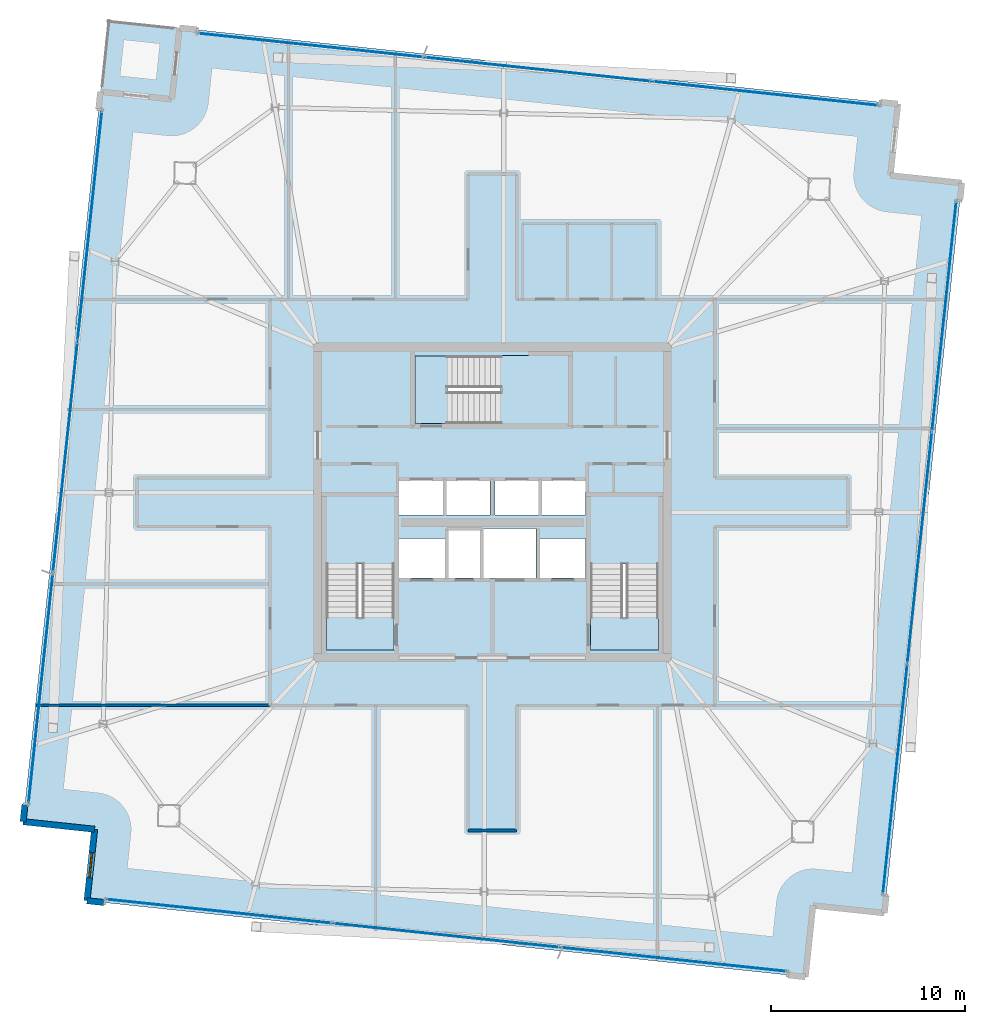
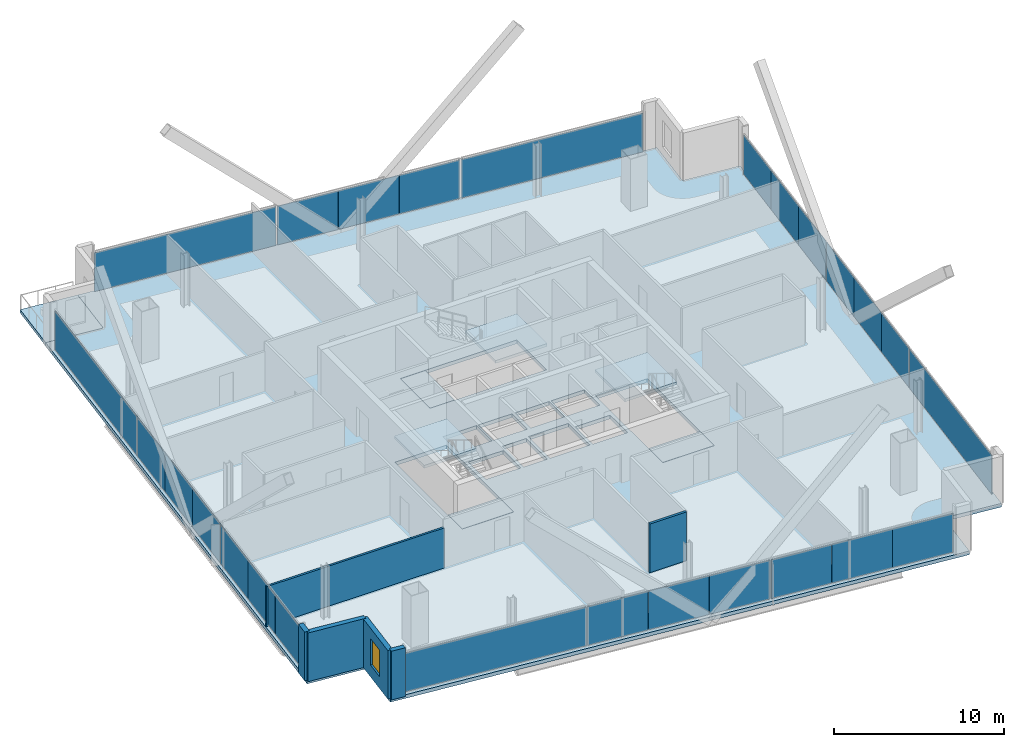
# One storey, part 18 of 24: 26 plates, 8 slabs, 6 walls, 1 window, 1 opening, 7 elements without a shape of their own.
"""IFC4 building model written with IfcOpenShell, lengths in metres."""

from ifc_helpers import new_model, si_unit, direction, frame, frame_2d, origin, origin_2d, place, context, subcontext, project, spatial, polyline, rectangle, outline, extrude, source, transform, mapped, material, layer, layer_set, type_object, element, fill, aggregate, save


model = new_model("IFC4")

# Units and contexts
model_context = context("Model", 3, precision=1e-05, world=origin(), true_north=direction((0.0, 1.0)))
body_context = subcontext(model_context, "Body", "Model", "MODEL_VIEW")
ifc_project = project(units=[si_unit("LENGTHUNIT", "METRE"), si_unit("AREAUNIT", "SQUARE_METRE"), si_unit("VOLUMEUNIT", "CUBIC_METRE"), si_unit("PLANEANGLEUNIT", "RADIAN"), si_unit("MASSUNIT", "GRAM", prefix="KILO")], contexts=[model_context])

# Site, building, storey
site_placement = place(None, origin())
site = spatial("IfcSite", under=ifc_project, at=site_placement, CompositionType="ELEMENT")
building_placement = place(site_placement, origin())
building = spatial("IfcBuilding", under=site, at=building_placement, Name="Haldenkirk Collegiate Tower", CompositionType="ELEMENT")
storey_placement = place(building_placement, frame((0.0, 0.0, 310.199951171875)))
storey = spatial("IfcBuildingStorey", under=building, at=storey_placement, Name="L78", CompositionType="ELEMENT", Elevation=310.199951171875)

# Slab
ifc_material_1 = material(Name="Concrete f'c 40 MPa", Category="concrete")
ifc_layer_1 = layer(ifc_material_1, 0.260009765625)
ifc_layer_set_1 = layer_set([ifc_layer_1], Name="Concrete f'c 40 MPa")
slab_type_1 = type_object("IfcSlabType", Name="SLB-FLR-260", PredefinedType="FLOOR", material=ifc_layer_set_1)
slab_1_placement = place(storey_placement, frame((0.0, 0.0, -0.260009765625)))
element("IfcSlab", 1, at=slab_1_placement, inside=storey, type_object=slab_type_1, Name="L78 composite structural floor slab", PredefinedType="FLOOR", context=body_context, shape_type="SweptSolid", body=[
    extrude(outline(polyline([(56.183837890625, 4.85498046875), (60.167724609375, 42.4443359375), (56.48828125, 42.83447265625), (56.87841796875, 46.513916015625), (19.885498046875, 50.4345703125), (19.49560546875, 46.755126953125), (15.816162109375, 47.14501953125), (11.832275390625, 9.5556640625), (15.51171875, 9.16552734375), (15.12158203125, 5.486083984375), (52.114501953125, 1.5654296875), (52.50439453125, 5.244873046875), (56.183837890625, 4.85498046875)]), holes=[polyline([(27.449951171875, 18.39990234375), (30.949951171875, 18.39990234375), (30.949951171875, 26.300048828125), (27.449951171875, 26.300048828125), (27.449951171875, 18.39990234375)]), polyline([(41.050048828125, 18.39990234375), (44.550048828125, 18.39990234375), (44.550048828125, 26.300048828125), (41.050048828125, 26.300048828125), (41.050048828125, 18.39990234375)]), polyline([(32.0, 30.050048828125), (39.89990234375, 30.050048828125), (39.89990234375, 33.550048828125), (32.0, 33.550048828125), (32.0, 30.050048828125)]), polyline([(33.75, 22.10009765625), (35.35009765625, 22.10009765625), (35.35009765625, 24.550048828125), (33.75, 24.550048828125), (33.75, 22.10009765625)]), polyline([(31.199951171875, 25.35009765625), (33.47998046875, 25.35009765625), (33.47998046875, 27.14990234375), (31.199951171875, 27.14990234375), (31.199951171875, 25.35009765625)]), polyline([(33.60009765625, 25.35009765625), (35.8798828125, 25.35009765625), (35.8798828125, 27.14990234375), (33.60009765625, 27.14990234375), (33.60009765625, 25.35009765625)]), polyline([(36.1201171875, 25.35009765625), (38.39990234375, 25.35009765625), (38.39990234375, 27.14990234375), (36.1201171875, 27.14990234375), (36.1201171875, 25.35009765625)]), polyline([(38.52001953125, 25.35009765625), (40.800048828125, 25.35009765625), (40.800048828125, 27.14990234375), (38.52001953125, 27.14990234375), (38.52001953125, 25.35009765625)]), polyline([(31.199951171875, 22.10009765625), (33.550048828125, 22.10009765625), (33.550048828125, 24.14990234375), (31.199951171875, 24.14990234375), (31.199951171875, 22.10009765625)]), polyline([(38.449951171875, 22.10009765625), (40.800048828125, 22.10009765625), (40.800048828125, 24.14990234375), (38.449951171875, 24.14990234375), (38.449951171875, 22.10009765625)]), polyline([(35.550048828125, 22.10009765625), (38.25, 22.10009765625), (38.25, 24.64990234375), (35.550048828125, 24.64990234375), (35.550048828125, 22.10009765625)])]), origin(), (0.0, 0.0, 1.0), 0.260009765625),
])

# Stair, slab
stair_type = type_object("IfcStairType", Name="STR-DOGLEG-1650", PredefinedType="HALF_TURN_STAIR", material=ifc_material_1)
stair_1_placement = place(storey_placement, origin())
stair_1 = element("IfcStair", 2, at=stair_1_placement, inside=storey, type_object=stair_type, Name="L78 Core Exit Stair ST-1", PredefinedType="HALF_TURN_STAIR")
ifc_layer_2 = layer(ifc_material_1, 0.199951171875)
ifc_layer_set_2 = layer_set([ifc_layer_2], Name="Concrete f'c 40 MPa")
slab_type_2 = type_object("IfcSlabType", Name="SLB-LANDING-200", PredefinedType="LANDING", material=ifc_layer_set_2)
slab_2_placement = place(storey_placement, frame((0.0, 0.0, 1.675048828125)))
slab_2 = element("IfcSlab", 3, at=slab_2_placement, type_object=slab_type_2, Name="ST-1 landing 1", PredefinedType="LANDING", context=body_context, shape_type="SweptSolid", body=[
    extrude(outline(polyline([(30.97509765625, 22.824951171875), (27.425048828125, 22.824951171875), (27.425048828125, 26.324951171875), (30.97509765625, 26.324951171875), (30.97509765625, 22.824951171875)])), origin(), (0.0, 0.0, 1.0), 0.199951171875),
])
aggregate(stair_1, [slab_2])

stair_2_placement = place(storey_placement, origin())
stair_2 = element("IfcStair", 4, at=stair_2_placement, inside=storey, type_object=stair_type, Name="L78 Core Exit Stair ST-2", PredefinedType="HALF_TURN_STAIR")
slab_3_placement = place(storey_placement, frame((0.0, 0.0, 1.675048828125)))
slab_3 = element("IfcSlab", 5, at=slab_3_placement, type_object=slab_type_2, Name="ST-2 landing 1", PredefinedType="LANDING", context=body_context, shape_type="SweptSolid", body=[
    extrude(outline(polyline([(44.574951171875, 22.824951171875), (41.02490234375, 22.824951171875), (41.02490234375, 26.324951171875), (44.574951171875, 26.324951171875), (44.574951171875, 22.824951171875)])), origin(), (0.0, 0.0, 1.0), 0.199951171875),
])
aggregate(stair_2, [slab_3])

stair_3_placement = place(storey_placement, origin())
stair_3 = element("IfcStair", 6, at=stair_3_placement, inside=storey, type_object=stair_type, Name="L78 Core Exit Stair ST-3", PredefinedType="HALF_TURN_STAIR")
slab_4_placement = place(storey_placement, frame((0.0, 0.0, 1.675048828125)))
slab_4 = element("IfcSlab", 7, at=slab_4_placement, type_object=slab_type_2, Name="ST-3 landing 1", PredefinedType="LANDING", context=body_context, shape_type="SweptSolid", body=[
    extrude(outline(polyline([(36.425048828125, 30.02490234375), (36.425048828125, 33.574951171875), (39.925048828125, 33.574951171875), (39.925048828125, 30.02490234375), (36.425048828125, 30.02490234375)])), origin(), (0.0, 0.0, 1.0), 0.199951171875),
])
aggregate(stair_3, [slab_4])

# Slabs
ifc_layer_3 = layer(ifc_material_1, 0.25)
ifc_layer_set_3 = layer_set([ifc_layer_3], Name="Concrete f'c 40 MPa")
slab_type_3 = type_object("IfcSlabType", Name="SLB-STAIRLAND-250", PredefinedType="LANDING", material=ifc_layer_set_3)
slab_5_placement = place(storey_placement, frame((0.0, 0.0, -0.25)))
element("IfcSlab", 8, at=slab_5_placement, inside=storey, type_object=slab_type_3, Name="L78 stair ST1 structural floor landing slab", PredefinedType="LANDING", context=body_context, shape_type="SweptSolid", body=[
    extrude(outline(polyline([(27.4599609375, 18.409912109375), (30.93994140625, 18.409912109375), (30.93994140625, 20.080078125), (27.4599609375, 20.080078125), (27.4599609375, 18.409912109375)])), origin(), (0.0, 0.0, 1.0), 0.25),
])
slab_6_placement = place(storey_placement, frame((0.0, 0.0, -0.25)))
element("IfcSlab", 9, at=slab_6_placement, inside=storey, type_object=slab_type_3, Name="L78 stair ST2 structural floor landing slab", PredefinedType="LANDING", context=body_context, shape_type="SweptSolid", body=[
    extrude(outline(polyline([(41.06005859375, 18.409912109375), (44.5400390625, 18.409912109375), (44.5400390625, 20.080078125), (41.06005859375, 20.080078125), (41.06005859375, 18.409912109375)])), origin(), (0.0, 0.0, 1.0), 0.25),
])
slab_7_placement = place(storey_placement, frame((0.0, 0.0, -0.25)))
element("IfcSlab", 10, at=slab_7_placement, inside=storey, type_object=slab_type_3, Name="L78 stair ST3 structural floor landing slab", PredefinedType="LANDING", context=body_context, shape_type="SweptSolid", body=[
    extrude(outline(polyline([(32.010009765625, 30.06005859375), (33.679931640625, 30.06005859375), (33.679931640625, 33.5400390625), (32.010009765625, 33.5400390625), (32.010009765625, 30.06005859375)])), origin(), (0.0, 0.0, 1.0), 0.25),
])
ifc_layer_4 = layer(ifc_material_1, 0.22998046875)
ifc_layer_set_4 = layer_set([ifc_layer_4], Name="Concrete f'c 40 MPa")
slab_type_4 = type_object("IfcSlabType", Name="SLB-TERR-SPIRAL-230", PredefinedType="FLOOR", material=ifc_layer_set_4)
slab_8_placement = place(storey_placement, frame((0.0, 0.0, -0.22998046875)))
element("IfcSlab", 11, at=slab_8_placement, inside=storey, type_object=slab_type_4, Name="L78 spiralling corner terrace slab", PredefinedType="FLOOR", context=body_context, shape_type="SweptSolid", body=[
    extrude(outline(polyline([(19.49560546875, 46.755126953125), (19.885498046875, 50.4345703125), (16.206298828125, 50.824462890625), (15.816162109375, 47.14501953125), (19.49560546875, 46.755126953125)])), origin(), (0.0, 0.0, 1.0), 0.22998046875),
])

# Curtain wall, plates
ifc_material_2 = material(Name="Anodised architectural bronze aluminium", Category="aluminium")
curtain_wall_type_1 = type_object("IfcCurtainWallType", Name="CW-SYS2-CONCAVE", PredefinedType="USERDEFINED", material=ifc_material_2)
curtain_wall_1_placement = place(storey_placement, origin())
curtain_wall_1 = element("IfcCurtainWall", 12, at=curtain_wall_1_placement, inside=storey, type_object=curtain_wall_type_1, Name="L78 South concave recessed bronze-anodised curtain wall", ObjectType="UNITISED CURTAIN WALL", PredefinedType="USERDEFINED")
ifc_material_3 = material(Name="Low-E argon triple insulating glass", Category="glass")
ifc_layer_5 = layer(ifc_material_3, 0.0419921875)
ifc_layer_set_5 = layer_set([ifc_layer_5], Name="Low-E argon triple insulating glass")
plate_type_1 = type_object("IfcPlateType", Name="CW-PNL-02", PredefinedType="CURTAIN_PANEL", material=ifc_layer_set_5)
shared_shape_1 = source(origin(), body_context, "Body", "SweptSolid", [
    extrude(rectangle(XDim=11.887451171875, YDim=0.0419921875, at=origin_2d()), origin(), (0.0, 0.0, 1.0), 2.798095703125),
])
plate_1_placement = place(storey_placement, frame((56.734130859375, 11.754150390625, 0.0751953125), z_axis=(0.0, 0.0, 1.0), x_axis=(-0.105394438184, -0.994430496515, 0.0)))
plate_1 = element("IfcPlate", 13, at=plate_1_placement, type_object=plate_type_1, Name="CW-02 panel 3.1", PredefinedType="CURTAIN_PANEL", context=body_context, shape_type="MappedRepresentation", body=[
    mapped(shared_shape_1, transform((0.0, 0.0, 0.0), x_axis=(1.0, 0.0, 0.0), y_axis=(0.0, 1.0, 0.0), z_axis=(0.0, 0.0, 1.0), scale=1.0)),
])
ifc_material_4 = material(Name="Bronze-anodised insulated aluminium spandrel panel", Category="aluminium")
ifc_layer_6 = layer(ifc_material_4, 0.0419921875)
ifc_layer_set_6 = layer_set([ifc_layer_6], Name="Bronze-anodised insulated aluminium spandrel panel")
plate_type_2 = type_object("IfcPlateType", Name="CW-SPD-02", PredefinedType="CURTAIN_PANEL", material=ifc_layer_set_6)
shared_shape_2 = source(origin(), body_context, "Body", "SweptSolid", [
    extrude(rectangle(XDim=3.96240234375, YDim=0.0419921875, at=origin_2d()), origin(), (0.0, 0.0, 1.0), 2.798095703125),
])
plate_2_placement = place(storey_placement, frame((58.41650390625, 27.627685546875, 0.0751953125), z_axis=(0.0, 0.0, 1.0), x_axis=(-0.105394438184, -0.994430496515, 0.0)))
plate_2 = element("IfcPlate", 14, at=plate_2_placement, type_object=plate_type_2, Name="CW-02 spandrel panel 2.1a", PredefinedType="CURTAIN_PANEL", context=body_context, shape_type="MappedRepresentation", body=[
    mapped(shared_shape_2, transform((0.0, 0.0, 0.0), x_axis=(1.0, 0.0, 0.0), y_axis=(0.0, 1.0, 0.0), z_axis=(0.0, 0.0, 1.0), scale=1.0)),
])
plate_3_placement = place(storey_placement, frame((57.5771484375, 19.709716796875, 0.0751953125), z_axis=(0.0, 0.0, 1.0), x_axis=(-0.105394438184, -0.994430496515, 0.0)))
plate_3 = element("IfcPlate", 15, at=plate_3_placement, type_object=plate_type_2, Name="CW-02 spandrel panel 2.1c", PredefinedType="CURTAIN_PANEL", context=body_context, shape_type="MappedRepresentation", body=[
    mapped(shared_shape_2, transform((0.0, 0.0, 0.0), x_axis=(1.0, 0.0, 0.0), y_axis=(0.0, 1.0, 0.0), z_axis=(0.0, 0.0, 1.0), scale=1.0)),
])
shared_shape_3 = source(origin(), body_context, "Body", "SweptSolid", [
    extrude(rectangle(XDim=3.949951171875, YDim=0.0419921875, at=origin_2d()), origin(), (0.0, 0.0, 1.0), 2.798095703125),
])
plate_4_placement = place(storey_placement, frame((59.677734375, 39.52978515625, 0.0751953125), z_axis=(0.0, 0.0, 1.0), x_axis=(-0.105394438184, -0.994430496515, 0.0)))
plate_4 = element("IfcPlate", 16, at=plate_4_placement, type_object=plate_type_1, Name="CW-02 panel 1.1a", PredefinedType="CURTAIN_PANEL", context=body_context, shape_type="MappedRepresentation", body=[
    mapped(shared_shape_3, transform((0.0, 0.0, 0.0), x_axis=(1.0, 0.0, 0.0), y_axis=(0.0, 1.0, 0.0), z_axis=(0.0, 0.0, 1.0), scale=1.0)),
])
plate_5_placement = place(storey_placement, frame((58.84130859375, 31.636474609375, 0.0751953125), z_axis=(0.0, 0.0, 1.0), x_axis=(-0.105394438184, -0.994430496515, 0.0)))
plate_5 = element("IfcPlate", 17, at=plate_5_placement, type_object=plate_type_2, Name="CW-02 spandrel panel 1.1c", PredefinedType="CURTAIN_PANEL", context=body_context, shape_type="MappedRepresentation", body=[
    mapped(shared_shape_3, transform((0.0, 0.0, 0.0), x_axis=(1.0, 0.0, 0.0), y_axis=(0.0, 1.0, 0.0), z_axis=(0.0, 0.0, 1.0), scale=1.0)),
])
plate_6_placement = place(storey_placement, frame((57.996826171875, 23.668701171875, 0.0751953125), z_axis=(0.0, 0.0, 1.0), x_axis=(-0.105394438184, -0.994430496515, 0.0)))
plate_6 = element("IfcPlate", 18, at=plate_6_placement, type_object=plate_type_2, Name="CW-02 spandrel panel 2.1b", PredefinedType="CURTAIN_PANEL", context=body_context, shape_type="MappedRepresentation", body=[
    mapped(shared_shape_3, transform((0.0, 0.0, 0.0), x_axis=(1.0, 0.0, 0.0), y_axis=(0.0, 1.0, 0.0), z_axis=(0.0, 0.0, 1.0), scale=1.0)),
])

curtain_wall_type_2 = type_object("IfcCurtainWallType", Name="CW-SYS1B-CONVEX-HI", PredefinedType="USERDEFINED", material=ifc_material_2)
curtain_wall_2_placement = place(storey_placement, origin())
curtain_wall_2 = element("IfcCurtainWall", 19, at=curtain_wall_2_placement, inside=storey, type_object=curtain_wall_type_2, Name="L78 Upper tower high-wind convex bronze unitised curtain wall", ObjectType="UNITISED CURTAIN WALL", PredefinedType="USERDEFINED")
ifc_layer_7 = layer(ifc_material_4, 0.048095703125)
ifc_layer_set_7 = layer_set([ifc_layer_7], Name="Bronze-anodised insulated aluminium spandrel panel")
plate_type_3 = type_object("IfcPlateType", Name="CW-SPD-1B", PredefinedType="CURTAIN_PANEL", material=ifc_layer_set_7)
shared_shape_4 = source(origin(), body_context, "Body", "SweptSolid", [
    extrude(rectangle(XDim=3.892578125, YDim=0.048095703125, at=origin_2d()), origin(), (0.0, 0.0, 1.0), 2.778076171875),
])
plate_7_placement = place(storey_placement, frame((34.473388671875, 48.70751953125, 0.0849609375), z_axis=(0.0, 0.0, 1.0), x_axis=(0.994430670948, -0.10539279234, 0.0)))
plate_7 = element("IfcPlate", 20, at=plate_7_placement, type_object=plate_type_3, Name="CW-1B spandrel panel 2.1a", PredefinedType="CURTAIN_PANEL", context=body_context, shape_type="MappedRepresentation", body=[
    mapped(shared_shape_4, transform((0.0, 0.0, 0.0), x_axis=(1.0, 0.0, 0.0), y_axis=(0.0, 1.0, 0.0), z_axis=(0.0, 0.0, 1.0), scale=1.0)),
])
plate_8_placement = place(storey_placement, frame((42.25244140625, 47.8828125, 0.0849609375), z_axis=(0.0, 0.0, 1.0), x_axis=(0.994430670948, -0.10539279234, 0.0)))
plate_8 = element("IfcPlate", 21, at=plate_8_placement, type_object=plate_type_3, Name="CW-1B spandrel panel 2.1c", PredefinedType="CURTAIN_PANEL", context=body_context, shape_type="MappedRepresentation", body=[
    mapped(shared_shape_4, transform((0.0, 0.0, 0.0), x_axis=(1.0, 0.0, 0.0), y_axis=(0.0, 1.0, 0.0), z_axis=(0.0, 0.0, 1.0), scale=1.0)),
])

curtain_wall_3_placement = place(storey_placement, origin())
curtain_wall_3 = element("IfcCurtainWall", 22, at=curtain_wall_3_placement, inside=storey, type_object=curtain_wall_type_2, Name="L78 Upper tower high-wind convex bronze unitised curtain wall", ObjectType="UNITISED CURTAIN WALL", PredefinedType="USERDEFINED")
plate_9_placement = place(storey_placement, frame((37.526611328125, 3.29248046875, 0.0849609375), z_axis=(0.0, 0.0, 1.0), x_axis=(-0.994430670948, 0.10539279234, 0.0)))
plate_9 = element("IfcPlate", 23, at=plate_9_placement, type_object=plate_type_3, Name="CW-1B spandrel panel 2.1a", PredefinedType="CURTAIN_PANEL", context=body_context, shape_type="MappedRepresentation", body=[
    mapped(shared_shape_4, transform((0.0, 0.0, 0.0), x_axis=(1.0, 0.0, 0.0), y_axis=(0.0, 1.0, 0.0), z_axis=(0.0, 0.0, 1.0), scale=1.0)),
])
plate_10_placement = place(storey_placement, frame((29.74755859375, 4.1171875, 0.0849609375), z_axis=(0.0, 0.0, 1.0), x_axis=(-0.994430670948, 0.10539279234, 0.0)))
plate_10 = element("IfcPlate", 24, at=plate_10_placement, type_object=plate_type_3, Name="CW-1B spandrel panel 2.1c", PredefinedType="CURTAIN_PANEL", context=body_context, shape_type="MappedRepresentation", body=[
    mapped(shared_shape_4, transform((0.0, 0.0, 0.0), x_axis=(1.0, 0.0, 0.0), y_axis=(0.0, 1.0, 0.0), z_axis=(0.0, 0.0, 1.0), scale=1.0)),
])

# Plate
shared_shape_5 = source(origin(), body_context, "Body", "SweptSolid", [
    extrude(rectangle(XDim=3.8798828125, YDim=0.048095703125, at=origin_2d()), origin(), (0.0, 0.0, 1.0), 2.778076171875),
])
plate_11_placement = place(storey_placement, frame((38.363037109375, 48.295166015625, 0.0849609375), z_axis=(0.0, 0.0, 1.0), x_axis=(0.994430670948, -0.10539279234, 0.0)))
plate_11 = element("IfcPlate", 25, at=plate_11_placement, type_object=plate_type_3, Name="CW-1B spandrel panel 2.1b", PredefinedType="CURTAIN_PANEL", context=body_context, shape_type="MappedRepresentation", body=[
    mapped(shared_shape_5, transform((0.0, 0.0, 0.0), x_axis=(1.0, 0.0, 0.0), y_axis=(0.0, 1.0, 0.0), z_axis=(0.0, 0.0, 1.0), scale=1.0)),
])

plate_12_placement = place(storey_placement, frame((33.636962890625, 3.704833984375, 0.0849609375), z_axis=(0.0, 0.0, 1.0), x_axis=(-0.994430670948, 0.10539279234, 0.0)))
plate_12 = element("IfcPlate", 26, at=plate_12_placement, type_object=plate_type_3, Name="CW-1B spandrel panel 2.1b", PredefinedType="CURTAIN_PANEL", context=body_context, shape_type="MappedRepresentation", body=[
    mapped(shared_shape_5, transform((0.0, 0.0, 0.0), x_axis=(1.0, 0.0, 0.0), y_axis=(0.0, 1.0, 0.0), z_axis=(0.0, 0.0, 1.0), scale=1.0)),
])

# Curtain wall, plates
curtain_wall_4_placement = place(storey_placement, origin())
curtain_wall_4 = element("IfcCurtainWall", 27, at=curtain_wall_4_placement, inside=storey, type_object=curtain_wall_type_2, Name="L78 Upper tower high-wind convex bronze unitised curtain wall", ObjectType="UNITISED CURTAIN WALL", PredefinedType="USERDEFINED")
ifc_layer_8 = layer(ifc_material_3, 0.048095703125)
ifc_layer_set_8 = layer_set([ifc_layer_8], Name="Low-E argon triple insulating glass")
plate_type_4 = type_object("IfcPlateType", Name="CW-PNL-1B", PredefinedType="CURTAIN_PANEL", material=ifc_layer_set_8)
shared_shape_6 = source(origin(), body_context, "Body", "SweptSolid", [
    extrude(rectangle(XDim=11.87255859375, YDim=0.048095703125, at=origin_2d()), origin(), (0.0, 0.0, 1.0), 2.778076171875),
])
plate_13_placement = place(storey_placement, frame((15.265625, 40.243408203125, 0.0849609375), z_axis=(0.0, 0.0, 1.0), x_axis=(0.105394438184, 0.994430496515, 0.0)))
plate_13 = element("IfcPlate", 28, at=plate_13_placement, type_object=plate_type_4, Name="CW-1B panel 3.1", PredefinedType="CURTAIN_PANEL", context=body_context, shape_type="MappedRepresentation", body=[
    mapped(shared_shape_6, transform((0.0, 0.0, 0.0), x_axis=(1.0, 0.0, 0.0), y_axis=(0.0, 1.0, 0.0), z_axis=(0.0, 0.0, 1.0), scale=1.0)),
])
shared_shape_7 = source(origin(), body_context, "Body", "SweptSolid", [
    extrude(rectangle(XDim=3.959228515625, YDim=0.048095703125, at=origin_2d()), origin(), (0.0, 0.0, 1.0), 2.778076171875),
])
plate_14_placement = place(storey_placement, frame((13.583984375, 24.37548828125, 0.0849609375), z_axis=(0.0, 0.0, 1.0), x_axis=(0.105394438184, 0.994430496515, 0.0)))
plate_14 = element("IfcPlate", 29, at=plate_14_placement, type_object=plate_type_3, Name="CW-1B spandrel panel 2.1a", PredefinedType="CURTAIN_PANEL", context=body_context, shape_type="MappedRepresentation", body=[
    mapped(shared_shape_7, transform((0.0, 0.0, 0.0), x_axis=(1.0, 0.0, 0.0), y_axis=(0.0, 1.0, 0.0), z_axis=(0.0, 0.0, 1.0), scale=1.0)),
])
plate_15_placement = place(storey_placement, frame((14.422607421875, 32.287109375, 0.0849609375), z_axis=(0.0, 0.0, 1.0), x_axis=(0.105394438184, 0.994430496515, 0.0)))
plate_15 = element("IfcPlate", 30, at=plate_15_placement, type_object=plate_type_3, Name="CW-1B spandrel panel 2.1c", PredefinedType="CURTAIN_PANEL", context=body_context, shape_type="MappedRepresentation", body=[
    mapped(shared_shape_7, transform((0.0, 0.0, 0.0), x_axis=(1.0, 0.0, 0.0), y_axis=(0.0, 1.0, 0.0), z_axis=(0.0, 0.0, 1.0), scale=1.0)),
])
shared_shape_8 = source(origin(), body_context, "Body", "SweptSolid", [
    extrude(rectangle(XDim=3.94677734375, YDim=0.048095703125, at=origin_2d()), origin(), (0.0, 0.0, 1.0), 2.778076171875),
])
plate_16_placement = place(storey_placement, frame((14.003173828125, 28.331298828125, 0.0849609375), z_axis=(0.0, 0.0, 1.0), x_axis=(0.105394438184, 0.994430496515, 0.0)))
plate_16 = element("IfcPlate", 31, at=plate_16_placement, type_object=plate_type_3, Name="CW-1B spandrel panel 2.1b", PredefinedType="CURTAIN_PANEL", context=body_context, shape_type="MappedRepresentation", body=[
    mapped(shared_shape_8, transform((0.0, 0.0, 0.0), x_axis=(1.0, 0.0, 0.0), y_axis=(0.0, 1.0, 0.0), z_axis=(0.0, 0.0, 1.0), scale=1.0)),
])

# Plate
shared_shape_9 = source(origin(), body_context, "Body", "SweptSolid", [
    extrude(rectangle(XDim=3.9375, YDim=0.0419921875, at=origin_2d()), origin(), (0.0, 0.0, 1.0), 2.798095703125),
])
plate_17_placement = place(storey_placement, frame((59.259521484375, 35.583251953125, 0.0751953125), z_axis=(0.0, 0.0, 1.0), x_axis=(-0.105394438184, -0.994430496515, 0.0)))
plate_17 = element("IfcPlate", 32, at=plate_17_placement, type_object=plate_type_1, Name="CW-02 panel 1.1b", PredefinedType="CURTAIN_PANEL", context=body_context, shape_type="MappedRepresentation", body=[
    mapped(shared_shape_9, transform((0.0, 0.0, 0.0), x_axis=(1.0, 0.0, 0.0), y_axis=(0.0, 1.0, 0.0), z_axis=(0.0, 0.0, 1.0), scale=1.0)),
])

aggregate(curtain_wall_1, [plate_4, plate_17, plate_5, plate_2, plate_6, plate_3, plate_1])

shared_shape_10 = source(origin(), body_context, "Body", "SweptSolid", [
    extrude(rectangle(XDim=11.67236328125, YDim=0.048095703125, at=origin_2d()), origin(), (0.0, 0.0, 1.0), 2.778076171875),
])
plate_18_placement = place(storey_placement, frame((26.64990234375, 49.53662109375, 0.0849609375), z_axis=(0.0, 0.0, 1.0), x_axis=(0.994430670948, -0.10539279234, 0.0)))
plate_18 = element("IfcPlate", 33, at=plate_18_placement, type_object=plate_type_4, Name="CW-1B panel 1.1", PredefinedType="CURTAIN_PANEL", context=body_context, shape_type="MappedRepresentation", body=[
    mapped(shared_shape_10, transform((0.0, 0.0, 0.0), x_axis=(1.0, 0.0, 0.0), y_axis=(0.0, 1.0, 0.0), z_axis=(0.0, 0.0, 1.0), scale=1.0)),
])

plate_19_placement = place(storey_placement, frame((50.076171875, 47.0537109375, 0.0849609375), z_axis=(0.0, 0.0, 1.0), x_axis=(0.994430670948, -0.10539279234, 0.0)))
plate_19 = element("IfcPlate", 34, at=plate_19_placement, type_object=plate_type_4, Name="CW-1B panel 3.1", PredefinedType="CURTAIN_PANEL", context=body_context, shape_type="MappedRepresentation", body=[
    mapped(shared_shape_10, transform((0.0, 0.0, 0.0), x_axis=(1.0, 0.0, 0.0), y_axis=(0.0, 1.0, 0.0), z_axis=(0.0, 0.0, 1.0), scale=1.0)),
])

aggregate(curtain_wall_2, [plate_18, plate_7, plate_11, plate_8, plate_19])

plate_20_placement = place(storey_placement, frame((21.923828125, 4.9462890625, 0.0849609375), z_axis=(0.0, 0.0, 1.0), x_axis=(-0.994430670948, 0.10539279234, 0.0)))
plate_20 = element("IfcPlate", 35, at=plate_20_placement, type_object=plate_type_4, Name="CW-1B panel 3.1", PredefinedType="CURTAIN_PANEL", context=body_context, shape_type="MappedRepresentation", body=[
    mapped(shared_shape_10, transform((0.0, 0.0, 0.0), x_axis=(1.0, 0.0, 0.0), y_axis=(0.0, 1.0, 0.0), z_axis=(0.0, 0.0, 1.0), scale=1.0)),
])

shared_shape_11 = source(origin(), body_context, "Body", "SweptSolid", [
    extrude(rectangle(XDim=3.945068359375, YDim=0.048095703125, at=origin_2d()), origin(), (0.0, 0.0, 1.0), 2.778076171875),
])
plate_21_placement = place(storey_placement, frame((12.322998046875, 12.4775390625, 0.0849609375), z_axis=(0.0, 0.0, 1.0), x_axis=(0.105394438184, 0.994430496515, 0.0)))
plate_21 = element("IfcPlate", 36, at=plate_21_placement, type_object=plate_type_4, Name="CW-1B panel 1.1a", PredefinedType="CURTAIN_PANEL", context=body_context, shape_type="MappedRepresentation", body=[
    mapped(shared_shape_11, transform((0.0, 0.0, 0.0), x_axis=(1.0, 0.0, 0.0), y_axis=(0.0, 1.0, 0.0), z_axis=(0.0, 0.0, 1.0), scale=1.0)),
])

plate_22_placement = place(storey_placement, frame((13.158447265625, 20.361083984375, 0.0849609375), z_axis=(0.0, 0.0, 1.0), x_axis=(0.105394438184, 0.994430496515, 0.0)))
plate_22 = element("IfcPlate", 37, at=plate_22_placement, type_object=plate_type_3, Name="CW-1B spandrel panel 1.1c", PredefinedType="CURTAIN_PANEL", context=body_context, shape_type="MappedRepresentation", body=[
    mapped(shared_shape_11, transform((0.0, 0.0, 0.0), x_axis=(1.0, 0.0, 0.0), y_axis=(0.0, 1.0, 0.0), z_axis=(0.0, 0.0, 1.0), scale=1.0)),
])

shared_shape_12 = source(origin(), body_context, "Body", "SweptSolid", [
    extrude(rectangle(XDim=3.9326171875, YDim=0.048095703125, at=origin_2d()), origin(), (0.0, 0.0, 1.0), 2.778076171875),
])
plate_23_placement = place(storey_placement, frame((12.74072265625, 16.419189453125, 0.0849609375), z_axis=(0.0, 0.0, 1.0), x_axis=(0.105394438184, 0.994430496515, 0.0)))
plate_23 = element("IfcPlate", 38, at=plate_23_placement, type_object=plate_type_4, Name="CW-1B panel 1.1b", PredefinedType="CURTAIN_PANEL", context=body_context, shape_type="MappedRepresentation", body=[
    mapped(shared_shape_12, transform((0.0, 0.0, 0.0), x_axis=(1.0, 0.0, 0.0), y_axis=(0.0, 1.0, 0.0), z_axis=(0.0, 0.0, 1.0), scale=1.0)),
])

aggregate(curtain_wall_4, [plate_21, plate_23, plate_22, plate_14, plate_16, plate_15, plate_13])

shared_shape_13 = source(origin(), body_context, "Body", "SweptSolid", [
    extrude(rectangle(XDim=3.87841796875, YDim=0.048095703125, at=origin_2d()), origin(), (0.0, 0.0, 1.0), 2.778076171875),
])
plate_24_placement = place(storey_placement, frame((49.2255859375, 2.052734375, 0.0849609375), z_axis=(0.0, 0.0, 1.0), x_axis=(-0.994430670948, 0.10539279234, 0.0)))
plate_24 = element("IfcPlate", 39, at=plate_24_placement, type_object=plate_type_4, Name="CW-1B panel 1.1a", PredefinedType="CURTAIN_PANEL", context=body_context, shape_type="MappedRepresentation", body=[
    mapped(shared_shape_13, transform((0.0, 0.0, 0.0), x_axis=(1.0, 0.0, 0.0), y_axis=(0.0, 1.0, 0.0), z_axis=(0.0, 0.0, 1.0), scale=1.0)),
])

plate_25_placement = place(storey_placement, frame((41.474853515625, 2.874267578125, 0.0849609375), z_axis=(0.0, 0.0, 1.0), x_axis=(-0.994430670948, 0.10539279234, 0.0)))
plate_25 = element("IfcPlate", 40, at=plate_25_placement, type_object=plate_type_3, Name="CW-1B spandrel panel 1.1c", PredefinedType="CURTAIN_PANEL", context=body_context, shape_type="MappedRepresentation", body=[
    mapped(shared_shape_13, transform((0.0, 0.0, 0.0), x_axis=(1.0, 0.0, 0.0), y_axis=(0.0, 1.0, 0.0), z_axis=(0.0, 0.0, 1.0), scale=1.0)),
])

shared_shape_14 = source(origin(), body_context, "Body", "SweptSolid", [
    extrude(rectangle(XDim=3.86572265625, YDim=0.048095703125, at=origin_2d()), origin(), (0.0, 0.0, 1.0), 2.778076171875),
])
plate_26_placement = place(storey_placement, frame((45.35009765625, 2.46337890625, 0.0849609375), z_axis=(0.0, 0.0, 1.0), x_axis=(-0.994430670948, 0.10539279234, 0.0)))
plate_26 = element("IfcPlate", 41, at=plate_26_placement, type_object=plate_type_4, Name="CW-1B panel 1.1b", PredefinedType="CURTAIN_PANEL", context=body_context, shape_type="MappedRepresentation", body=[
    mapped(shared_shape_14, transform((0.0, 0.0, 0.0), x_axis=(1.0, 0.0, 0.0), y_axis=(0.0, 1.0, 0.0), z_axis=(0.0, 0.0, 1.0), scale=1.0)),
])

aggregate(curtain_wall_3, [plate_24, plate_26, plate_25, plate_9, plate_12, plate_10, plate_20])

# Walls
ifc_material_5 = material(Name="Precast concrete f'c 40 MPa", Category="concrete")
ifc_layer_9 = layer(ifc_material_5, 0.320068359375)
ifc_layer_set_9 = layer_set([ifc_layer_9], Name="Precast concrete f'c 40 MPa")
wall_type_1 = type_object("IfcWallType", Name="WL-EXT-TWR-320", PredefinedType="STANDARD", material=ifc_layer_set_9)
wall_1_placement = place(storey_placement, frame((11.832275390625, 9.5556640625, 0.0), z_axis=(0.0, 0.0, 1.0), x_axis=(0.10524958677, 0.994445837884, 0.0)))
element("IfcWall", 42, at=wall_1_placement, inside=storey, type_object=wall_type_1, Name="L78 precast corner pier NL", PredefinedType="STANDARD", context=body_context, shape_type="SweptSolid", body=[
    extrude(rectangle(XDim=0.89990234375, YDim=0.320068359375, at=frame_2d((0.449951171875, 0.0))), origin(), (0.0, 0.0, 1.0), 3.489990234375),
])
wall_2_placement = place(storey_placement, frame((15.51171875, 9.16552734375, 0.0), z_axis=(0.0, 0.0, 1.0), x_axis=(-0.994425625033, 0.105440392064, 0.0)))
element("IfcWall", 43, at=wall_2_placement, inside=storey, type_object=wall_type_1, Name="L78 bronze precast notch wall 08", PredefinedType="STANDARD", context=body_context, shape_type="SweptSolid", body=[
    extrude(rectangle(XDim=3.699951171875, YDim=0.320068359375, at=frame_2d((1.85009765625, 0.0))), origin(), (0.0, 0.0, 1.0), 3.489990234375),
])

# Wall, opening, window
wall_3_placement = place(storey_placement, frame((15.12158203125, 5.486083984375, 0.0), z_axis=(0.0, 0.0, 1.0), x_axis=(0.105440392064, 0.994425625033, 0.0)))
wall_3 = element("IfcWall", 44, at=wall_3_placement, inside=storey, type_object=wall_type_1, Name="L78 bronze precast notch wall 09", PredefinedType="STANDARD", context=body_context, shape_type="SweptSolid", body=[
    extrude(rectangle(XDim=3.699951171875, YDim=0.320068359375, at=frame_2d((1.85009765625, 0.0))), origin(), (0.0, 0.0, 1.0), 3.489990234375),
])
opening_placement = place(wall_3_placement, frame((1.199951171875, 0.0, 0.85009765625)))
opening = element("IfcOpeningElement", 45, at=opening_placement, cuts=wall_3, Name="Opening W-08", PredefinedType="OPENING", context=body_context, shape_type="SweptSolid", body=[
    extrude(rectangle(XDim=1.300048828125, YDim=1.89990234375, at=frame_2d((0.64990234375, 0.949951171875))), frame((0.0, 0.169921875, 0.0), z_axis=(0.0, -1.0, 0.0), x_axis=(1.0, 0.0, 0.0)), (0.0, 0.0, 1.0), 0.340087890625),
])
ifc_layer_10 = layer(ifc_material_3, 0.090087890625)
ifc_layer_set_10 = layer_set([ifc_layer_10], Name="Low-E argon triple insulating glass")
window_type = type_object("IfcWindowType", Name="WN-Z6-1300X1900", PartitioningType="SINGLE_PANEL", PredefinedType="WINDOW", material=ifc_layer_set_10)
window_placement = place(opening_placement, origin())
window = element("IfcWindow", 46, at=window_placement, inside=storey, type_object=window_type, Name="L78 precast-frame academic window 8", OverallHeight=1.89990234375, OverallWidth=1.300048828125, PartitioningType="SINGLE_PANEL", PredefinedType="WINDOW", context=body_context, shape_type="SweptSolid", body=[
    extrude(rectangle(XDim=1.300048828125, YDim=1.89990234375, at=frame_2d((0.64990234375, 0.949951171875))), frame((0.0, 0.030029296875, 0.0), z_axis=(0.0, -1.0, 0.0), x_axis=(1.0, 0.0, 0.0)), (0.0, 0.0, 1.0), 0.06005859375),
])
fill(opening, window)

# Walls
wall_4_placement = place(storey_placement, frame((16.0166015625, 5.391357421875, 0.0), z_axis=(0.0, 0.0, 1.0), x_axis=(-0.994445837884, 0.10524958677, 0.0)))
element("IfcWall", 47, at=wall_4_placement, inside=storey, type_object=wall_type_1, Name="L78 precast corner pier WR", PredefinedType="STANDARD", context=body_context, shape_type="SweptSolid", body=[
    extrude(rectangle(XDim=0.89990234375, YDim=0.320068359375, at=frame_2d((0.449951171875, 0.0))), origin(), (0.0, 0.0, 1.0), 3.489990234375),
])
ifc_material_6 = material(Name="Acoustic fire-rated gypsum partition", Category="concrete")
ifc_layer_11 = layer(ifc_material_6, 0.159912109375)
ifc_layer_set_11 = layer_set([ifc_layer_11], Name="Acoustic fire-rated gypsum partition")
wall_type_2 = type_object("IfcWallType", Name="WL-INT-CORR-160", PredefinedType="PARTITIONING", material=ifc_layer_set_11)
wall_5_placement = place(storey_placement, frame((34.75, 9.10009765625, 0.0), z_axis=(0.0, 0.0, 1.0), x_axis=(1.0, 0.0, 0.0)))
element("IfcWall", 48, at=wall_5_placement, inside=storey, type_object=wall_type_2, Name="L78 interior partition IW-L78-SPS", PredefinedType="PARTITIONING", context=body_context, shape_type="SweptSolid", body=[
    extrude(rectangle(XDim=2.5, YDim=0.159912109375, at=frame_2d((1.25, 0.0))), origin(), (0.0, 0.0, 1.0), 3.489990234375),
])
ifc_layer_12 = layer(ifc_material_6, 0.139892578125)
ifc_layer_set_12 = layer_set([ifc_layer_12], Name="Acoustic fire-rated gypsum partition")
wall_type_3 = type_object("IfcWallType", Name="WL-INT-DIV-140", PredefinedType="PARTITIONING", material=ifc_layer_set_12)
wall_6_placement = place(storey_placement, frame((12.5078125, 15.550048828125, 0.0), z_axis=(0.0, 0.0, 1.0), x_axis=(1.0, 0.0, 0.0)))
element("IfcWall", 49, at=wall_6_placement, inside=storey, type_object=wall_type_3, Name="L78 interior partition IW-L78-BWS", PredefinedType="PARTITIONING", context=body_context, shape_type="SweptSolid", body=[
    extrude(rectangle(XDim=12.042236328125, YDim=0.139892578125, at=frame_2d((6.02099609375, 0.0))), origin(), (0.0, 0.0, 1.0), 2.8681640625),
])

save(model, "model.ifc")
